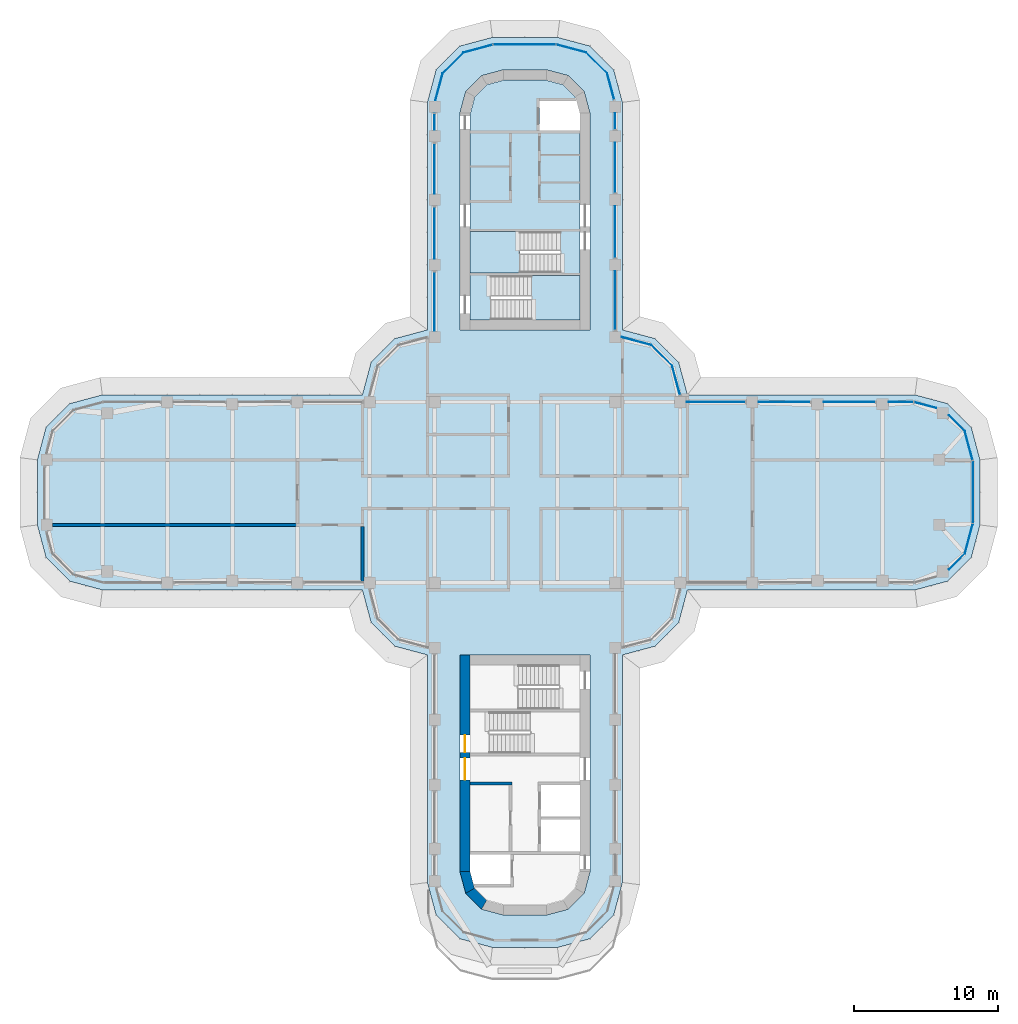
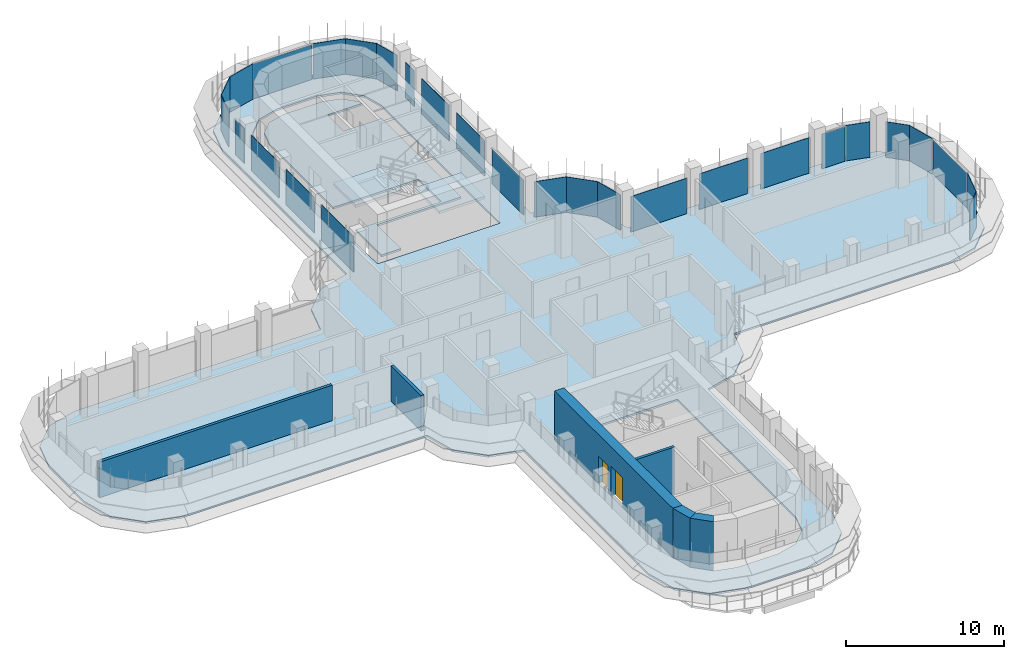
# One storey, part 13 of 20: 28 plates, 6 walls, 4 slabs, 2 doors, 2 openings, 21 elements without a shape of their own.
"""IFC4 building model written with IfcOpenShell, lengths in metres."""

from ifc_helpers import new_model, si_unit, direction, frame, frame_2d, origin, place, context, subcontext, project, spatial, polyline, rectangle, outline, extrude, source, transform, mapped, material, layer, layer_set, type_object, element, fill, aggregate, save


model = new_model("IFC4")

# Units and contexts
model_context = context("Model", 3, precision=1e-05, world=origin(), true_north=direction((0.0, 1.0)))
body_context = subcontext(model_context, "Body", "Model", "MODEL_VIEW")
ifc_project = project(units=[si_unit("LENGTHUNIT", "METRE"), si_unit("AREAUNIT", "SQUARE_METRE"), si_unit("VOLUMEUNIT", "CUBIC_METRE"), si_unit("PLANEANGLEUNIT", "RADIAN"), si_unit("MASSUNIT", "GRAM", prefix="KILO")], contexts=[model_context])

# Site, building, storey
site_placement = place(None, origin())
site = spatial("IfcSite", under=ifc_project, at=site_placement, CompositionType="ELEMENT")
building_placement = place(site_placement, origin())
building = spatial("IfcBuilding", under=site, at=building_placement, Name="Zarbagh Exchange Tower", CompositionType="ELEMENT")
storey_placement = place(building_placement, frame((0.0, 0.0, 156.199951171875)))
storey = spatial("IfcBuildingStorey", under=building, at=storey_placement, Name="L37", CompositionType="ELEMENT", Elevation=156.199951171875)

# Slabs
ifc_material_1 = material(Name="Concrete C40/50", Category="concrete")
ifc_layer_1 = layer(ifc_material_1, 0.14990234375)
ifc_layer_set_1 = layer_set([ifc_layer_1], Name="Composite floor slab 150 C40/50")
slab_type_1 = type_object("IfcSlabType", Name="Composite floor slab 150 C40/50", PredefinedType="FLOOR", material=ifc_layer_set_1)
slab_1_placement = place(storey_placement, frame((0.0, 0.0, -0.14990234375)))
element("IfcSlab", 1, at=slab_1_placement, inside=storey, type_object=slab_type_1, Name="S5 composite floor slab", PredefinedType="FLOOR", context=body_context, shape_type="SweptSolid", body=[
    extrude(outline(polyline([(-2.25, -31.5), (-4.5, -30.897216796875), (-6.147216796875, -29.25), (-6.75, -27.0), (-6.75, -11.25), (-9.0, -10.647216796875), (-10.647216796875, -9.0), (-11.25, -6.75), (-29.25, -6.75), (-31.5, -6.147216796875), (-33.147216796875, -4.5), (-33.75, -2.25), (-33.75, 2.25), (-33.147216796875, 4.5), (-31.5, 6.147216796875), (-29.25, 6.75), (-11.25, 6.75), (-10.647216796875, 9.0), (-9.0, 10.647216796875), (-6.75, 11.25), (-6.75, 27.0), (-6.147216796875, 29.25), (-4.5, 30.897216796875), (-2.25, 31.5), (2.25, 31.5), (4.5, 30.897216796875), (6.147216796875, 29.25), (6.75, 27.0), (6.75, 11.25), (9.0, 10.647216796875), (10.647216796875, 9.0), (11.25, 6.75), (27.0, 6.75), (29.25, 6.147216796875), (30.897216796875, 4.5), (31.5, 2.25), (31.5, -2.25), (30.897216796875, -4.5), (29.25, -6.147216796875), (27.0, -6.75), (11.25, -6.75), (10.647216796875, -9.0), (9.0, -10.647216796875), (6.75, -11.25), (6.75, -27.0), (6.147216796875, -29.25), (4.5, -30.897216796875), (2.25, -31.5), (-2.25, -31.5)]), holes=[polyline([(4.5, 11.25), (4.5, 26.25), (4.09814453125, 27.75), (3.0, 28.84814453125), (1.5, 29.25), (-1.5, 29.25), (-3.0, 28.84814453125), (-4.09814453125, 27.75), (-4.5, 26.25), (-4.5, 11.25), (4.5, 11.25)]), polyline([(-1.5, -29.25), (1.5, -29.25), (3.0, -28.84814453125), (4.09814453125, -27.75), (4.5, -26.25), (4.5, -11.25), (-4.5, -11.25), (-4.5, -26.25), (-4.09814453125, -27.75), (-3.0, -28.84814453125), (-1.5, -29.25)])]), origin(), (0.0, 0.0, 1.0), 0.14990234375),
])
ifc_layer_2 = layer(ifc_material_1, 0.14990234375)
ifc_layer_set_2 = layer_set([ifc_layer_2], Name="Core floor slab 150 C40/50")
slab_type_2 = type_object("IfcSlabType", Name="Core floor slab 150 C40/50", PredefinedType="FLOOR", material=ifc_layer_set_2)
slab_2_placement = place(storey_placement, frame((0.0, 0.0, -0.14990234375)))
element("IfcSlab", 2, at=slab_2_placement, inside=storey, type_object=slab_type_2, Name="S17 core N", PredefinedType="FLOOR", context=body_context, shape_type="SweptSolid", body=[
    extrude(outline(polyline([(-3.800048828125, 11.949951171875), (-3.800048828125, 15.199951171875), (2.449951171875, 15.199951171875), (2.449951171875, 18.050048828125), (-3.800048828125, 18.050048828125), (-3.800048828125, 26.15771484375), (-3.470458984375, 27.3876953125), (-2.6376953125, 28.220458984375), (-1.40771484375, 28.550048828125), (1.40771484375, 28.550048828125), (2.6376953125, 28.220458984375), (3.470458984375, 27.3876953125), (3.800048828125, 26.15771484375), (3.800048828125, 26.15771484375), (3.547607421875, 27.10009765625), (1.0, 27.10009765625), (1.0, 25.050048828125), (3.800048828125, 25.050048828125), (3.800048828125, 15.0), (-2.35009765625, 15.0), (-2.35009765625, 11.949951171875), (-3.800048828125, 11.949951171875)])), origin(), (0.0, 0.0, 1.0), 0.14990234375),
])

# Stair, slab
stair_type = type_object("IfcStairType", Name="Exit stair two-flight half-turn", PredefinedType="HALF_TURN_STAIR", material=ifc_material_1)
stair_1_placement = place(storey_placement, origin())
stair_1 = element("IfcStair", 3, at=stair_1_placement, inside=storey, type_object=stair_type, Name="exit stair ST1", PredefinedType="HALF_TURN_STAIR")
ifc_layer_3 = layer(ifc_material_1, 0.199951171875)
ifc_layer_set_3 = layer_set([ifc_layer_3], Name="Stair landing 200 mm")
slab_type_3 = type_object("IfcSlabType", Name="Stair landing 200 mm", PredefinedType="LANDING", material=ifc_layer_set_3)
slab_3_placement = place(storey_placement, frame((0.0, 0.0, 1.699951171875)))
slab_3 = element("IfcSlab", 4, at=slab_3_placement, type_object=slab_type_3, Name="ST1 landing 1", PredefinedType="LANDING", context=body_context, shape_type="SweptSolid", body=[
    extrude(outline(polyline([(-0.35009765625, 18.050048828125), (-3.800048828125, 18.050048828125), (-3.800048828125, 15.199951171875), (-0.35009765625, 15.199951171875), (-0.35009765625, 18.050048828125)])), origin(), (0.0, 0.0, 1.0), 0.2001953125),
])
aggregate(stair_1, [slab_3])

stair_2_placement = place(storey_placement, origin())
stair_2 = element("IfcStair", 5, at=stair_2_placement, inside=storey, type_object=stair_type, Name="exit stair ST2", PredefinedType="HALF_TURN_STAIR")
slab_4_placement = place(storey_placement, frame((0.0, 0.0, 1.699951171875)))
slab_4 = element("IfcSlab", 6, at=slab_4_placement, type_object=slab_type_3, Name="ST2 landing 1", PredefinedType="LANDING", context=body_context, shape_type="SweptSolid", body=[
    extrude(outline(polyline([(0.449951171875, 11.949951171875), (3.800048828125, 11.949951171875), (3.800048828125, 15.0), (0.449951171875, 15.0), (0.449951171875, 11.949951171875)])), origin(), (0.0, 0.0, 1.0), 0.2001953125),
])
aggregate(stair_2, [slab_4])

# Curtain wall, plate
ifc_material_2 = material(Name="Anodised aluminium frame and glazing", Category="aluminium")
curtain_wall_type = type_object("IfcCurtainWallType", Name="CWB Ribbon glazing, upper zones", PredefinedType="NOTDEFINED", material=ifc_material_2)
curtain_wall_1_placement = place(storey_placement, origin())
curtain_wall_1 = element("IfcCurtainWall", 7, at=curtain_wall_1_placement, inside=storey, type_object=curtain_wall_type, Name="CWB18 curtain wall", PredefinedType="NOTDEFINED")
ifc_material_3 = material(Name="Low-e double glazed unit, 6+12+6 mm")
ifc_layer_4 = layer(ifc_material_3, 0.031982421875)
ifc_layer_set_4 = layer_set([ifc_layer_4], Name="PAB Glazing panel, Low-e double glazed unit, 6+12+6 mm")
plate_type = type_object("IfcPlateType", Name="PAB Glazing panel, Low-e double glazed unit, 6+12+6 mm", PredefinedType="CURTAIN_PANEL", material=ifc_layer_set_4)
shared_shape_1 = source(origin(), body_context, "Body", "SweptSolid", [
    extrude(outline(polyline([(0.0, -0.01611328125), (2.061279296875, -0.01611328125), (2.061279296875, 0.01611328125), (0.0, 0.01611328125), (0.0, -0.01611328125)])), origin(), (0.0, 0.0, 1.0), 2.75),
])
placement = place(storey_placement, origin())
plate_1 = element("IfcPlate", 8, at=placement, type_object=plate_type, Name="CWB18 glazing panel 1.1", PredefinedType="CURTAIN_PANEL", context=body_context, shape_type="MappedRepresentation", body=[
    mapped(shared_shape_1, transform((10.19873046875, 8.7412109375, 0.0), x_axis=(-0.707106781187, 0.707106781187, 0.0), y_axis=(-0.707106781187, -0.707106781187, 0.0), z_axis=(0.0, 0.0, 1.0))),
])
aggregate(curtain_wall_1, [plate_1])

curtain_wall_2_placement = place(storey_placement, origin())
curtain_wall_2 = element("IfcCurtainWall", 9, at=curtain_wall_2_placement, inside=storey, type_object=curtain_wall_type, Name="CWB22 curtain wall", PredefinedType="NOTDEFINED")
plate_2 = element("IfcPlate", 10, at=placement, type_object=plate_type, Name="CWB22 glazing panel 1.1", PredefinedType="CURTAIN_PANEL", context=body_context, shape_type="MappedRepresentation", body=[
    mapped(shared_shape_1, transform((5.69873046875, 28.9912109375, 0.0), x_axis=(-0.707106781187, 0.707106781187, 0.0), y_axis=(-0.707106781187, -0.707106781187, 0.0), z_axis=(0.0, 0.0, 1.0))),
])
aggregate(curtain_wall_2, [plate_2])

curtain_wall_3_placement = place(storey_placement, origin())
curtain_wall_3 = element("IfcCurtainWall", 11, at=curtain_wall_3_placement, inside=storey, type_object=curtain_wall_type, Name="CWB26 curtain wall", PredefinedType="NOTDEFINED")
plate_3 = element("IfcPlate", 12, at=placement, type_object=plate_type, Name="CWB26 glazing panel 1.1", PredefinedType="CURTAIN_PANEL", context=body_context, shape_type="MappedRepresentation", body=[
    mapped(shared_shape_1, transform((-4.2412109375, 30.44873046875, 0.0), x_axis=(-0.707106781187, -0.707106781187, 0.0), y_axis=(0.707106781187, -0.707106781187, 0.0), z_axis=(0.0, 0.0, 1.0))),
])
aggregate(curtain_wall_3, [plate_3])

curtain_wall_4_placement = place(storey_placement, origin())
curtain_wall_4 = element("IfcCurtainWall", 13, at=curtain_wall_4_placement, inside=storey, type_object=curtain_wall_type, Name="CWB11 curtain wall", PredefinedType="NOTDEFINED")
shared_shape_2 = source(origin(), body_context, "Body", "SweptSolid", [
    extrude(outline(polyline([(0.0, -0.01611328125), (2.129638671875, -0.01611328125), (2.129638671875, 0.01611328125), (0.0, 0.01611328125), (0.0, -0.01611328125)])), origin(), (0.0, 0.0, 1.0), 2.75),
])
plate_4 = element("IfcPlate", 14, at=placement, type_object=plate_type, Name="CWB11 glazing panel 1.1", PredefinedType="CURTAIN_PANEL", context=body_context, shape_type="MappedRepresentation", body=[
    mapped(shared_shape_2, transform((30.44873046875, -4.2412109375, 0.0), x_axis=(0.258824779902, 0.965924289636, 0.0), y_axis=(-0.965924289636, 0.258824779902, 0.0), z_axis=(0.0, 0.0, 1.0))),
])
aggregate(curtain_wall_4, [plate_4])

curtain_wall_5_placement = place(storey_placement, origin())
curtain_wall_5 = element("IfcCurtainWall", 15, at=curtain_wall_5_placement, inside=storey, type_object=curtain_wall_type, Name="CWB23 curtain wall", PredefinedType="NOTDEFINED")
plate_5 = element("IfcPlate", 16, at=placement, type_object=plate_type, Name="CWB23 glazing panel 1.1", PredefinedType="CURTAIN_PANEL", context=body_context, shape_type="MappedRepresentation", body=[
    mapped(shared_shape_2, transform((4.2412109375, 30.44873046875, 0.0), x_axis=(-0.965924289636, 0.258824779902, 0.0), y_axis=(-0.258824779902, -0.965924289636, 0.0), z_axis=(0.0, 0.0, 1.0))),
])
aggregate(curtain_wall_5, [plate_5])

curtain_wall_6_placement = place(storey_placement, origin())
curtain_wall_6 = element("IfcCurtainWall", 17, at=curtain_wall_6_placement, inside=storey, type_object=curtain_wall_type, Name="CWB20 curtain wall", PredefinedType="NOTDEFINED")
shared_shape_3 = source(origin(), body_context, "Body", "SweptSolid", [
    extrude(outline(polyline([(0.0, -0.01611328125), (3.4599609375, -0.01611328125), (3.4599609375, 0.01611328125), (0.0, 0.01611328125), (0.0, -0.01611328125)])), origin(), (0.0, 0.0, 1.0), 2.75),
])
plate_6 = element("IfcPlate", 18, at=placement, type_object=plate_type, Name="CWB20 glazing panel 3.1", PredefinedType="CURTAIN_PANEL", context=body_context, shape_type="MappedRepresentation", body=[
    mapped(shared_shape_3, transform((6.25, 20.75, 0.0), x_axis=(0.0, 1.0, 0.0), y_axis=(-1.0, 0.0, 0.0), z_axis=(0.0, 0.0, 1.0))),
])

curtain_wall_7_placement = place(storey_placement, origin())
curtain_wall_7 = element("IfcCurtainWall", 19, at=curtain_wall_7_placement, inside=storey, type_object=curtain_wall_type, Name="CWB28 curtain wall", PredefinedType="NOTDEFINED")
plate_7 = element("IfcPlate", 20, at=placement, type_object=plate_type, Name="CWB28 glazing panel 2.1", PredefinedType="CURTAIN_PANEL", context=body_context, shape_type="MappedRepresentation", body=[
    mapped(shared_shape_3, transform((-6.25, 24.14990234375, 0.0), x_axis=(0.0, -1.0, 0.0), y_axis=(1.0, 0.0, 0.0), z_axis=(0.0, 0.0, 1.0))),
])

# Curtain wall, plates
curtain_wall_8_placement = place(storey_placement, origin())
curtain_wall_8 = element("IfcCurtainWall", 21, at=curtain_wall_8_placement, inside=storey, type_object=curtain_wall_type, Name="CWB16 curtain wall", PredefinedType="NOTDEFINED")
shared_shape_4 = source(origin(), body_context, "Body", "SweptSolid", [
    extrude(outline(polyline([(0.0, -0.01611328125), (3.56005859375, -0.01611328125), (3.56005859375, 0.01611328125), (0.0, 0.01611328125), (0.0, -0.01611328125)])), origin(), (0.0, 0.0, 1.0), 2.75),
])
plate_8 = element("IfcPlate", 22, at=placement, type_object=plate_type, Name="CWB16 glazing panel 2.1", PredefinedType="CURTAIN_PANEL", context=body_context, shape_type="MappedRepresentation", body=[
    mapped(shared_shape_4, transform((24.25, 6.25, 0.0), x_axis=(-1.0, 0.0, 0.0), y_axis=(0.0, -1.0, 0.0), z_axis=(0.0, 0.0, 1.0))),
])
plate_9 = element("IfcPlate", 23, at=placement, type_object=plate_type, Name="CWB16 glazing panel 3.1", PredefinedType="CURTAIN_PANEL", context=body_context, shape_type="MappedRepresentation", body=[
    mapped(shared_shape_4, transform((19.75, 6.25, 0.0), x_axis=(-1.0, 0.0, 0.0), y_axis=(0.0, -1.0, 0.0), z_axis=(0.0, 0.0, 1.0))),
])

# Plate
plate_10 = element("IfcPlate", 24, at=placement, type_object=plate_type, Name="CWB20 glazing panel 2.1", PredefinedType="CURTAIN_PANEL", context=body_context, shape_type="MappedRepresentation", body=[
    mapped(shared_shape_4, transform((6.25, 16.25, 0.0), x_axis=(0.0, 1.0, 0.0), y_axis=(-1.0, 0.0, 0.0), z_axis=(0.0, 0.0, 1.0))),
])

plate_11 = element("IfcPlate", 25, at=placement, type_object=plate_type, Name="CWB28 glazing panel 3.1", PredefinedType="CURTAIN_PANEL", context=body_context, shape_type="MappedRepresentation", body=[
    mapped(shared_shape_4, transform((-6.25, 19.75, 0.0), x_axis=(0.0, -1.0, 0.0), y_axis=(1.0, 0.0, 0.0), z_axis=(0.0, 0.0, 1.0))),
])

shared_shape_5 = source(origin(), body_context, "Body", "SweptSolid", [
    extrude(outline(polyline([(0.0, -0.01611328125), (4.06005859375, -0.01611328125), (4.06005859375, 0.01611328125), (0.0, 0.01611328125), (0.0, -0.01611328125)])), origin(), (0.0, 0.0, 1.0), 2.75),
])
plate_12 = element("IfcPlate", 26, at=placement, type_object=plate_type, Name="CWB16 glazing panel 4.1", PredefinedType="CURTAIN_PANEL", context=body_context, shape_type="MappedRepresentation", body=[
    mapped(shared_shape_5, transform((15.25, 6.25, 0.0), x_axis=(-1.0, 0.0, 0.0), y_axis=(0.0, -1.0, 0.0), z_axis=(0.0, 0.0, 1.0))),
])

plate_13 = element("IfcPlate", 27, at=placement, type_object=plate_type, Name="CWB28 glazing panel 4.1", PredefinedType="CURTAIN_PANEL", context=body_context, shape_type="MappedRepresentation", body=[
    mapped(shared_shape_5, transform((-6.25, 15.25, 0.0), x_axis=(0.0, -1.0, 0.0), y_axis=(1.0, 0.0, 0.0), z_axis=(0.0, 0.0, 1.0))),
])

# Curtain wall, plate
curtain_wall_9_placement = place(storey_placement, origin())
curtain_wall_9 = element("IfcCurtainWall", 28, at=curtain_wall_9_placement, inside=storey, type_object=curtain_wall_type, Name="CWB17 curtain wall", PredefinedType="NOTDEFINED")
shared_shape_6 = source(origin(), body_context, "Body", "SweptSolid", [
    extrude(outline(polyline([(0.0, -0.01611328125), (2.063720703125, -0.01611328125), (2.063720703125, 0.01611328125), (0.0, 0.01611328125), (0.0, -0.01611328125)])), origin(), (0.0, 0.0, 1.0), 2.75),
])
plate_14 = element("IfcPlate", 29, at=placement, type_object=plate_type, Name="CWB17 glazing panel 1.1", PredefinedType="CURTAIN_PANEL", context=body_context, shape_type="MappedRepresentation", body=[
    mapped(shared_shape_6, transform((10.73291015625, 6.748046875, 0.0), x_axis=(-0.258824779902, 0.965924289636, 0.0), y_axis=(-0.965924289636, -0.258824779902, 0.0), z_axis=(0.0, 0.0, 1.0))),
])
aggregate(curtain_wall_9, [plate_14])

curtain_wall_10_placement = place(storey_placement, origin())
curtain_wall_10 = element("IfcCurtainWall", 30, at=curtain_wall_10_placement, inside=storey, type_object=curtain_wall_type, Name="CWB19 curtain wall", PredefinedType="NOTDEFINED")
shared_shape_7 = source(origin(), body_context, "Body", "SweptSolid", [
    extrude(outline(polyline([(0.0, -0.01611328125), (2.12353515625, -0.01611328125), (2.12353515625, 0.01611328125), (0.0, 0.01611328125), (0.0, -0.01611328125)])), origin(), (0.0, 0.0, 1.0), 2.75),
])
plate_15 = element("IfcPlate", 31, at=placement, type_object=plate_type, Name="CWB19 glazing panel 1.1", PredefinedType="CURTAIN_PANEL", context=body_context, shape_type="MappedRepresentation", body=[
    mapped(shared_shape_7, transform((8.7412109375, 10.19873046875, 0.0), x_axis=(-0.965924289636, 0.258824779902, 0.0), y_axis=(-0.258824779902, -0.965924289636, 0.0), z_axis=(0.0, 0.0, 1.0))),
])
aggregate(curtain_wall_10, [plate_15])

# Plate
shared_shape_8 = source(origin(), body_context, "Body", "SweptSolid", [
    extrude(outline(polyline([(0.0, -0.01611328125), (4.06005859375, -0.01611328125), (4.06005859375, 0.01611328125), (0.0, 0.01611328125), (0.0, -0.01611328125)])), origin(), (0.0, 0.0, 1.0), 2.68994140625),
])
plate_16 = element("IfcPlate", 32, at=placement, type_object=plate_type, Name="CWB20 glazing panel 1.1", PredefinedType="CURTAIN_PANEL", context=body_context, shape_type="MappedRepresentation", body=[
    mapped(shared_shape_8, transform((6.25, 11.25, 0.0), x_axis=(0.0, 1.0, 0.0), y_axis=(-1.0, 0.0, 0.0), z_axis=(0.0, 0.0, 1.0))),
])

# Curtain wall, plate
curtain_wall_11_placement = place(storey_placement, origin())
curtain_wall_11 = element("IfcCurtainWall", 33, at=curtain_wall_11_placement, inside=storey, type_object=curtain_wall_type, Name="CWB10 curtain wall", PredefinedType="NOTDEFINED")
shared_shape_9 = source(origin(), body_context, "Body", "SweptSolid", [
    extrude(outline(polyline([(0.0, -0.01611328125), (1.556884765625, -0.01611328125), (1.556884765625, 0.01611328125), (0.0, 0.01611328125), (0.0, -0.01611328125)])), origin(), (0.0, 0.0, 1.0), 2.75),
])
plate_17 = element("IfcPlate", 34, at=placement, type_object=plate_type, Name="CWB10 glazing panel 1.1", PredefinedType="CURTAIN_PANEL", context=body_context, shape_type="MappedRepresentation", body=[
    mapped(shared_shape_9, transform((29.347900390625, -5.342041015625, 0.0), x_axis=(0.707106781187, 0.707106781187, 0.0), y_axis=(-0.707106781187, 0.707106781187, 0.0), z_axis=(0.0, 0.0, 1.0))),
])
aggregate(curtain_wall_11, [plate_17])

curtain_wall_12_placement = place(storey_placement, origin())
curtain_wall_12 = element("IfcCurtainWall", 35, at=curtain_wall_12_placement, inside=storey, type_object=curtain_wall_type, Name="CWB14 curtain wall", PredefinedType="NOTDEFINED")
plate_18 = element("IfcPlate", 36, at=placement, type_object=plate_type, Name="CWB14 glazing panel 1.1", PredefinedType="CURTAIN_PANEL", context=body_context, shape_type="MappedRepresentation", body=[
    mapped(shared_shape_9, transform((30.44873046875, 4.2412109375, 0.0), x_axis=(-0.707106781187, 0.707106781187, 0.0), y_axis=(-0.707106781187, -0.707106781187, 0.0), z_axis=(0.0, 0.0, 1.0))),
])
aggregate(curtain_wall_12, [plate_18])

curtain_wall_13_placement = place(storey_placement, origin())
curtain_wall_13 = element("IfcCurtainWall", 37, at=curtain_wall_13_placement, inside=storey, type_object=curtain_wall_type, Name="CWB12 curtain wall", PredefinedType="NOTDEFINED")
shared_shape_10 = source(origin(), body_context, "Body", "SweptSolid", [
    extrude(outline(polyline([(0.0, -0.01611328125), (4.308349609375, -0.01611328125), (4.308349609375, 0.01611328125), (0.0, 0.01611328125), (0.0, -0.01611328125)])), origin(), (0.0, 0.0, 1.0), 2.68994140625),
])
plate_19 = element("IfcPlate", 38, at=placement, type_object=plate_type, Name="CWB12 glazing panel 1.1", PredefinedType="CURTAIN_PANEL", context=body_context, shape_type="MappedRepresentation", body=[
    mapped(shared_shape_10, transform((31.0, -2.124267578125, 0.0), x_axis=(0.0, 1.0, 0.0), y_axis=(-1.0, 0.0, 0.0), z_axis=(0.0, 0.0, 1.0))),
])
aggregate(curtain_wall_13, [plate_19])

curtain_wall_14_placement = place(storey_placement, origin())
curtain_wall_14 = element("IfcCurtainWall", 39, at=curtain_wall_14_placement, inside=storey, type_object=curtain_wall_type, Name="CWB24 curtain wall", PredefinedType="NOTDEFINED")
plate_20 = element("IfcPlate", 40, at=placement, type_object=plate_type, Name="CWB24 glazing panel 1.1", PredefinedType="CURTAIN_PANEL", context=body_context, shape_type="MappedRepresentation", body=[
    mapped(shared_shape_10, transform((2.124267578125, 31.0, 0.0), x_axis=(-1.0, 0.0, 0.0), y_axis=(0.0, -1.0, 0.0), z_axis=(0.0, 0.0, 1.0))),
])
aggregate(curtain_wall_14, [plate_20])

curtain_wall_15_placement = place(storey_placement, origin())
curtain_wall_15 = element("IfcCurtainWall", 41, at=curtain_wall_15_placement, inside=storey, type_object=curtain_wall_type, Name="CWB13 curtain wall", PredefinedType="NOTDEFINED")
shared_shape_11 = source(origin(), body_context, "Body", "SweptSolid", [
    extrude(outline(polyline([(0.0, -0.01611328125), (2.069580078125, -0.01611328125), (2.069580078125, 0.01611328125), (0.0, 0.01611328125), (0.0, -0.01611328125)])), origin(), (0.0, 0.0, 1.0), 2.75),
])
plate_21 = element("IfcPlate", 42, at=placement, type_object=plate_type, Name="CWB13 glazing panel 1.1", PredefinedType="CURTAIN_PANEL", context=body_context, shape_type="MappedRepresentation", body=[
    mapped(shared_shape_11, transform((30.984375, 2.2421875, 0.0), x_axis=(-0.258824779902, 0.965924289636, 0.0), y_axis=(-0.965924289636, -0.258824779902, 0.0), z_axis=(0.0, 0.0, 1.0))),
])
aggregate(curtain_wall_15, [plate_21])

curtain_wall_16_placement = place(storey_placement, origin())
curtain_wall_16 = element("IfcCurtainWall", 43, at=curtain_wall_16_placement, inside=storey, type_object=curtain_wall_type, Name="CWB25 curtain wall", PredefinedType="NOTDEFINED")
plate_22 = element("IfcPlate", 44, at=placement, type_object=plate_type, Name="CWB25 glazing panel 1.1", PredefinedType="CURTAIN_PANEL", context=body_context, shape_type="MappedRepresentation", body=[
    mapped(shared_shape_11, transform((-2.2421875, 30.984375, 0.0), x_axis=(-0.965924289636, -0.258824779902, 0.0), y_axis=(0.258824779902, -0.965924289636, 0.0), z_axis=(0.0, 0.0, 1.0))),
])
aggregate(curtain_wall_16, [plate_22])

curtain_wall_17_placement = place(storey_placement, origin())
curtain_wall_17 = element("IfcCurtainWall", 45, at=curtain_wall_17_placement, inside=storey, type_object=curtain_wall_type, Name="CWB15 curtain wall", PredefinedType="NOTDEFINED")
shared_shape_12 = source(origin(), body_context, "Body", "SweptSolid", [
    extrude(outline(polyline([(0.0, -0.01611328125), (1.587890625, -0.01611328125), (1.587890625, 0.01611328125), (0.0, 0.01611328125), (0.0, -0.01611328125)])), origin(), (0.0, 0.0, 1.0), 2.75),
])
plate_23 = element("IfcPlate", 46, at=placement, type_object=plate_type, Name="CWB15 glazing panel 1.1", PredefinedType="CURTAIN_PANEL", context=body_context, shape_type="MappedRepresentation", body=[
    mapped(shared_shape_12, transform((28.468017578125, 5.839111328125, 0.0), x_axis=(-0.965924289636, 0.258824779902, 0.0), y_axis=(-0.258824779902, -0.965924289636, 0.0), z_axis=(0.0, 0.0, 1.0))),
])
aggregate(curtain_wall_17, [plate_23])

# Plate
shared_shape_13 = source(origin(), body_context, "Body", "SweptSolid", [
    extrude(outline(polyline([(0.0, -0.01611328125), (1.68408203125, -0.01611328125), (1.68408203125, 0.01611328125), (0.0, 0.01611328125), (0.0, -0.01611328125)])), origin(), (0.0, 0.0, 1.0), 2.68994140625),
])
plate_24 = element("IfcPlate", 47, at=placement, type_object=plate_type, Name="CWB16 glazing panel 1.1", PredefinedType="CURTAIN_PANEL", context=body_context, shape_type="MappedRepresentation", body=[
    mapped(shared_shape_13, transform((26.874267578125, 6.25, 0.0), x_axis=(-1.0, 0.0, 0.0), y_axis=(0.0, -1.0, 0.0), z_axis=(0.0, 0.0, 1.0))),
])

aggregate(curtain_wall_8, [plate_24, plate_8, plate_9, plate_12])

shared_shape_14 = source(origin(), body_context, "Body", "SweptSolid", [
    extrude(outline(polyline([(0.0, -0.01611328125), (1.110107421875, -0.01611328125), (1.110107421875, 0.01611328125), (0.0, 0.01611328125), (0.0, -0.01611328125)])), origin(), (0.0, 0.0, 1.0), 2.75),
])
plate_25 = element("IfcPlate", 48, at=placement, type_object=plate_type, Name="CWB20 glazing panel 4.1", PredefinedType="CURTAIN_PANEL", context=body_context, shape_type="MappedRepresentation", body=[
    mapped(shared_shape_14, transform((6.25, 25.150146484375, 0.0), x_axis=(0.0, 1.0, 0.0), y_axis=(-1.0, 0.0, 0.0), z_axis=(0.0, 0.0, 1.0))),
])

aggregate(curtain_wall_6, [plate_16, plate_10, plate_6, plate_25])

# Curtain wall, plate
curtain_wall_18_placement = place(storey_placement, origin())
curtain_wall_18 = element("IfcCurtainWall", 49, at=curtain_wall_18_placement, inside=storey, type_object=curtain_wall_type, Name="CWB21 curtain wall", PredefinedType="NOTDEFINED")
shared_shape_15 = source(origin(), body_context, "Body", "SweptSolid", [
    extrude(outline(polyline([(0.0, -0.01611328125), (1.8564453125, -0.01611328125), (1.8564453125, 0.01611328125), (0.0, 0.01611328125), (0.0, -0.01611328125)])), origin(), (0.0, 0.0, 1.0), 2.75),
])
plate_26 = element("IfcPlate", 50, at=placement, type_object=plate_type, Name="CWB21 glazing panel 1.1", PredefinedType="CURTAIN_PANEL", context=body_context, shape_type="MappedRepresentation", body=[
    mapped(shared_shape_15, transform((6.17919921875, 27.197998046875, 0.0), x_axis=(-0.258824779902, 0.965924289636, 0.0), y_axis=(-0.965924289636, -0.258824779902, 0.0), z_axis=(0.0, 0.0, 1.0))),
])
aggregate(curtain_wall_18, [plate_26])

curtain_wall_19_placement = place(storey_placement, origin())
curtain_wall_19 = element("IfcCurtainWall", 51, at=curtain_wall_19_placement, inside=storey, type_object=curtain_wall_type, Name="CWB27 curtain wall", PredefinedType="NOTDEFINED")
shared_shape_16 = source(origin(), body_context, "Body", "SweptSolid", [
    extrude(outline(polyline([(0.0, -0.01611328125), (1.91650390625, -0.01611328125), (1.91650390625, 0.01611328125), (0.0, 0.01611328125), (0.0, -0.01611328125)])), origin(), (0.0, 0.0, 1.0), 2.75),
])
plate_27 = element("IfcPlate", 52, at=placement, type_object=plate_type, Name="CWB27 glazing panel 1.1", PredefinedType="CURTAIN_PANEL", context=body_context, shape_type="MappedRepresentation", body=[
    mapped(shared_shape_16, transform((-5.69873046875, 28.9912109375, 0.0), x_axis=(-0.258824779902, -0.965924289636, 0.0), y_axis=(0.965924289636, -0.258824779902, 0.0), z_axis=(0.0, 0.0, 1.0))),
])
aggregate(curtain_wall_19, [plate_27])

# Plate
shared_shape_17 = source(origin(), body_context, "Body", "SweptSolid", [
    extrude(outline(polyline([(0.0, -0.01611328125), (1.110107421875, -0.01611328125), (1.110107421875, 0.01611328125), (0.0, 0.01611328125), (0.0, -0.01611328125)])), origin(), (0.0, 0.0, 1.0), 2.68994140625),
])
plate_28 = element("IfcPlate", 53, at=placement, type_object=plate_type, Name="CWB28 glazing panel 1.1", PredefinedType="CURTAIN_PANEL", context=body_context, shape_type="MappedRepresentation", body=[
    mapped(shared_shape_17, transform((-6.25, 26.199951171875, 0.0), x_axis=(0.0, -1.0, 0.0), y_axis=(1.0, 0.0, 0.0), z_axis=(0.0, 0.0, 1.0))),
])

aggregate(curtain_wall_7, [plate_28, plate_7, plate_11, plate_13])

# Walls
ifc_material_4 = material(Name="Fire-rated plasterboard partition")
ifc_layer_5 = layer(ifc_material_4, 0.199951171875)
ifc_layer_set_5 = layer_set([ifc_layer_5], Name="RATED PARTITION 200")
wall_type_1 = type_object("IfcWallType", Name="RATED PARTITION 200", PredefinedType="PARTITIONING", material=ifc_layer_set_5)
wall_1_placement = place(storey_placement, frame((-11.25, -6.169921875, 0.0), z_axis=(0.0, 0.0, 1.0), x_axis=(0.0, 1.0, 0.0)))
element("IfcWall", 54, at=wall_1_placement, inside=storey, type_object=wall_type_1, Name="Partition W-1634", PredefinedType="PARTITIONING", context=body_context, shape_type="SweptSolid", body=[
    extrude(rectangle(XDim=3.81982421875, YDim=0.199951171875, at=frame_2d((1.909912109375, 0.0))), origin(), (0.0, 0.0, 1.0), 2.75),
])
wall_2_placement = place(storey_placement, frame((-32.7099609375, -2.25, 0.0), z_axis=(0.0, 0.0, 1.0), x_axis=(1.0, 0.0, 0.0)))
element("IfcWall", 55, at=wall_2_placement, inside=storey, type_object=wall_type_1, Name="Partition W-1643", PredefinedType="PARTITIONING", context=body_context, shape_type="SweptSolid", body=[
    extrude(rectangle(XDim=17.06005859375, YDim=0.199951171875, at=frame_2d((8.530029296875, 0.0))), origin(), (0.0, 0.0, 1.0), 2.75),
])
ifc_material_5 = material(Name="Concrete C50/60", Category="concrete")
ifc_layer_6 = layer(ifc_material_5, 0.699951171875)
ifc_layer_set_6 = layer_set([ifc_layer_6], Name="RC core corner wall 700 C50/60")
wall_type_2 = type_object("IfcWallType", Name="RC core corner wall 700 C50/60", PredefinedType="SHEAR", material=ifc_layer_set_6)
wall_3_placement = place(storey_placement, origin())
element("IfcWall", 56, at=wall_3_placement, inside=storey, type_object=wall_type_2, Name="CW6 core S corner W", PredefinedType="SHEAR", context=body_context, shape_type="SweptSolid", body=[
    extrude(outline(polyline([(-4.5, -26.25), (-4.09814453125, -27.75), (-3.491943359375, -27.39990234375), (-3.800048828125, -26.25), (-4.5, -26.25)])), origin(), (0.0, 0.0, 1.0), 3.800048828125),
])
wall_4_placement = place(storey_placement, origin())
element("IfcWall", 57, at=wall_4_placement, inside=storey, type_object=wall_type_2, Name="CW6 core S corner W", PredefinedType="SHEAR", context=body_context, shape_type="SweptSolid", body=[
    extrude(outline(polyline([(-4.09814453125, -27.75), (-3.0, -28.84814453125), (-2.64990234375, -28.241943359375), (-3.491943359375, -27.39990234375), (-4.09814453125, -27.75)])), origin(), (0.0, 0.0, 1.0), 3.800048828125),
])

# Wall, openings, doors
ifc_layer_7 = layer(ifc_material_5, 0.699951171875)
ifc_layer_set_7 = layer_set([ifc_layer_7], Name="RC core wall 700 C50/60")
wall_type_3 = type_object("IfcWallType", Name="RC core wall 700 C50/60", PredefinedType="SHEAR", material=ifc_layer_set_7)
wall_5_placement = place(storey_placement, frame((-4.14990234375, -11.25, 0.0), z_axis=(0.0, 0.0, 1.0), x_axis=(0.0, -1.0, 0.0)))
wall_5 = element("IfcWall", 58, at=wall_5_placement, inside=storey, type_object=wall_type_3, Name="CW5 core S W", PredefinedType="SHEAR", context=body_context, shape_type="SweptSolid", body=[
    extrude(rectangle(XDim=15.0, YDim=0.699951171875, at=frame_2d((7.5, 0.0))), origin(), (0.0, 0.0, 1.0), 3.800048828125),
])
opening_1_placement = place(wall_5_placement, frame((7.14990234375, 0.0, 0.0)))
opening_1 = element("IfcOpeningElement", 59, at=opening_1_placement, cuts=wall_5, Name="Opening CD1-1500", PredefinedType="OPENING", context=body_context, shape_type="SweptSolid", body=[
    extrude(rectangle(XDim=1.5, YDim=2.300048828125, at=frame_2d((0.75, 1.14990234375))), frame((0.0, 0.35986328125, 0.0), z_axis=(0.0, -1.0, 0.0), x_axis=(1.0, 0.0, 0.0)), (0.0, 0.0, 1.0), 0.719970703125),
])
opening_2_placement = place(wall_5_placement, frame((5.550048828125, 0.0, 0.0)))
opening_2 = element("IfcOpeningElement", 60, at=opening_2_placement, cuts=wall_5, Name="Opening SD1-1200", PredefinedType="OPENING", context=body_context, shape_type="SweptSolid", body=[
    extrude(rectangle(XDim=1.199951171875, YDim=2.10009765625, at=frame_2d((0.60009765625, 1.050048828125))), frame((0.0, 0.35986328125, 0.0), z_axis=(0.0, -1.0, 0.0), x_axis=(1.0, 0.0, 0.0)), (0.0, 0.0, 1.0), 0.719970703125),
])
ifc_material_6 = material(Name="Steel", Category="steel")
door_type_1 = type_object("IfcDoorType", Name="Exit stair door 1200 x 2100", OperationType="NOTDEFINED", PredefinedType="DOOR", material=ifc_material_6)
door_1_placement = place(opening_2_placement, origin())
door_1 = element("IfcDoor", 61, at=door_1_placement, inside=storey, type_object=door_type_1, Name="South core stair door ST1", OperationType="SINGLE_SWING_LEFT", OverallHeight=2.10009765625, OverallWidth=1.199951171875, PredefinedType="DOOR", context=body_context, shape_type="SweptSolid", body=[
    extrude(rectangle(XDim=1.199951171875, YDim=2.10009765625, at=frame_2d((0.60009765625, 1.050048828125))), frame((0.0, 0.02490234375, 0.0), z_axis=(0.0, -1.0, 0.0), x_axis=(1.0, 0.0, 0.0)), (0.0, 0.0, 1.0), 0.050048828125),
])
fill(opening_2, door_1)
door_type_2 = type_object("IfcDoorType", Name="Lift lobby double door 1500 x 2300", OperationType="NOTDEFINED", PredefinedType="DOOR", material=ifc_material_6)
door_2_placement = place(opening_1_placement, origin())
door_2 = element("IfcDoor", 62, at=door_2_placement, inside=storey, type_object=door_type_2, Name="South core lift lobby door LOBBY-E", OperationType="DOUBLE_DOOR_SINGLE_SWING", OverallHeight=2.300048828125, OverallWidth=1.5, PredefinedType="DOOR", context=body_context, shape_type="SweptSolid", body=[
    extrude(rectangle(XDim=1.5, YDim=2.300048828125, at=frame_2d((0.75, 1.14990234375))), frame((0.0, 0.02490234375, 0.0), z_axis=(0.0, -1.0, 0.0), x_axis=(1.0, 0.0, 0.0)), (0.0, 0.0, 1.0), 0.050048828125),
])
fill(opening_1, door_2)

# Wall
ifc_material_7 = material(Name="Dense blockwork", Category="masonry")
ifc_layer_8 = layer(ifc_material_7, 0.199951171875)
ifc_layer_set_8 = layer_set([ifc_layer_8], Name="Shaft wall 200 mm blockwork")
wall_type_4 = type_object("IfcWallType", Name="Shaft wall 200 mm blockwork", PredefinedType="PARTITIONING", material=ifc_layer_set_8)
wall_6_placement = place(storey_placement, frame((-0.89990234375, -20.14990234375, 0.0), z_axis=(0.0, 0.0, 1.0), x_axis=(-1.0, 0.0, 0.0)))
element("IfcWall", 63, at=wall_6_placement, inside=storey, type_object=wall_type_4, Name="South core shaft wall AB-E", PredefinedType="PARTITIONING", context=body_context, shape_type="SweptSolid", body=[
    extrude(rectangle(XDim=2.900146484375, YDim=0.199951171875, at=frame_2d((1.4501953125, 0.0))), origin(), (0.0, 0.0, 1.0), 3.650146484375),
])

save(model, "model.ifc")
